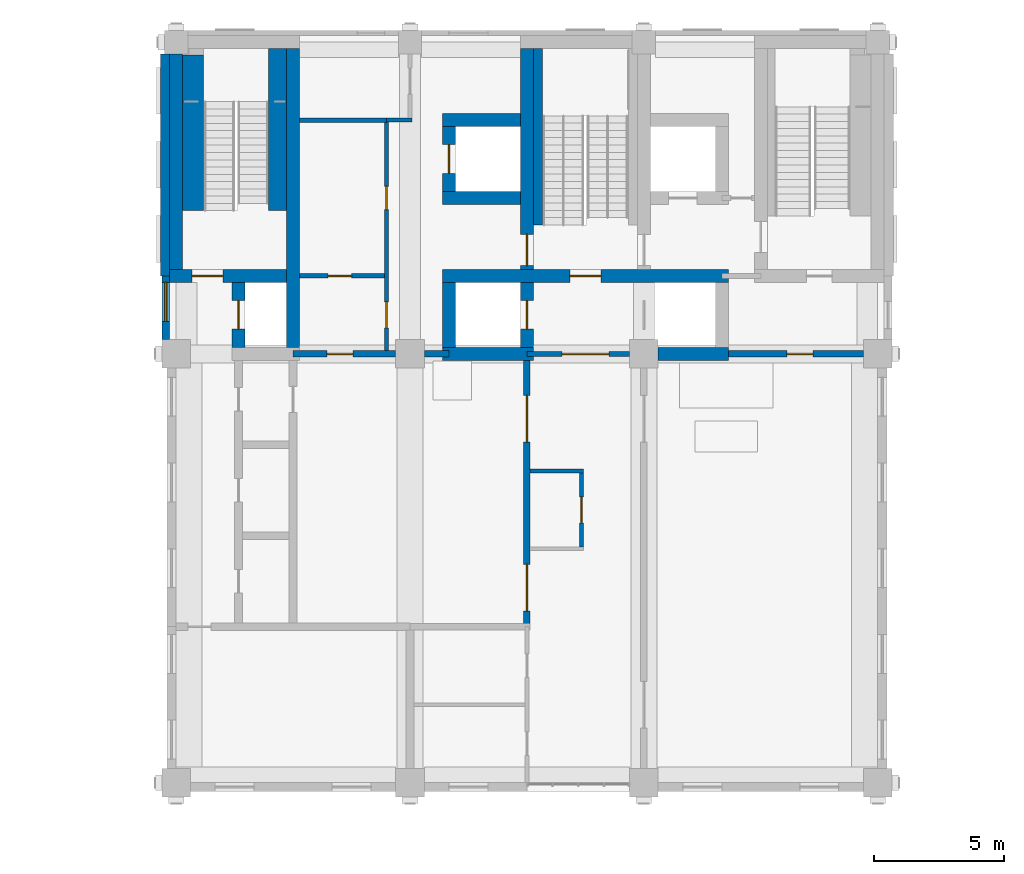
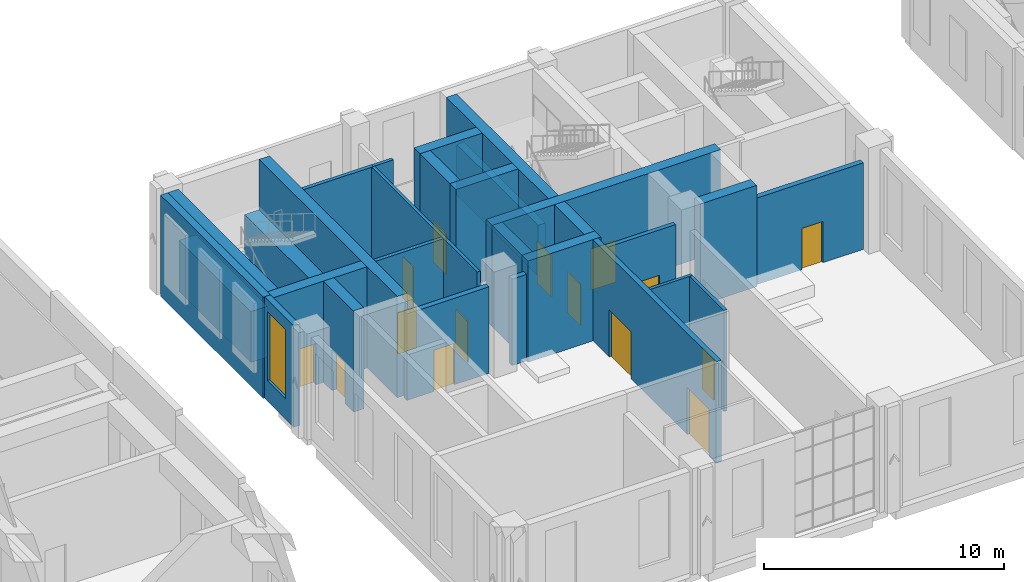
# One storey, part 22 of 37: 28 walls, 15 doors, 1 window, 16 openings.
"""IFC4 building model written with IfcOpenShell, lengths in metres."""

from ifc_helpers import new_model, si_unit, direction, frame, frame_2d, origin, place, context, subcontext, project, spatial, rectangle, extrude, material, layer, layer_set, type_object, element, fill, save


model = new_model("IFC4")

# Units and contexts
model_context = context("Model", 3, precision=1e-05, world=origin(), true_north=direction((0.0, 1.0)))
body_context = subcontext(model_context, "Body", "Model", "MODEL_VIEW")
ifc_project = project(units=[si_unit("LENGTHUNIT", "METRE"), si_unit("AREAUNIT", "SQUARE_METRE"), si_unit("VOLUMEUNIT", "CUBIC_METRE"), si_unit("PLANEANGLEUNIT", "RADIAN"), si_unit("MASSUNIT", "GRAM", prefix="KILO")], contexts=[model_context])

# Site, building, storey
site_placement = place(None, origin())
site = spatial("IfcSite", under=ifc_project, at=site_placement, CompositionType="ELEMENT")
building_placement = place(site_placement, origin())
building = spatial("IfcBuilding", under=site, at=building_placement, Name="Aurelan Courthouse", CompositionType="ELEMENT")
storey_placement = place(building_placement, frame((0.0, 0.0, 17.39990234375)))
storey = spatial("IfcBuildingStorey", under=building, at=storey_placement, Name="L03", CompositionType="ELEMENT", Elevation=17.39990234375)

# Wall, opening, door
ifc_material_1 = material(Name="Gypsum board on metal studs")
ifc_layer_1 = layer(ifc_material_1, 0.175048828125)
ifc_layer_set_1 = layer_set([ifc_layer_1], Name="Gypsum board on metal studs")
wall_type_1 = type_object("IfcWallType", Name="Chambers acoustic partition 175 NOT RATED", PredefinedType="PARTITIONING", material=ifc_layer_set_1)
wall_1_placement = place(storey_placement, frame((40.75, 57.0, 0.0), z_axis=(0.0, 0.0, 1.0), x_axis=(1.0, 0.0, 0.0)))
wall_1 = element("IfcWall", 1, at=wall_1_placement, inside=storey, type_object=wall_type_1, Name="Chambers acoustic partition L03-042", PredefinedType="PARTITIONING", context=body_context, shape_type="SweptSolid", body=[
    extrude(rectangle(XDim=3.27490234375, YDim=0.175048828125, at=frame_2d((1.637451171875, 0.0))), origin(), (0.0, 0.0, 1.0), 5.150146484375),
])
opening_1_placement = place(wall_1_placement, frame((2.0, 0.0, 0.0), z_axis=(0.0, 0.0, 1.0), x_axis=(-1.0, 0.0, 0.0)))
opening_1 = element("IfcOpeningElement", 2, at=opening_1_placement, cuts=wall_1, Name="Opening D-L03-027", PredefinedType="OPENING", context=body_context, shape_type="SweptSolid", body=[
    extrude(rectangle(XDim=0.89990234375, YDim=2.10009765625, at=frame_2d((0.449951171875, 1.050048828125))), frame((0.0, 0.097412109375, 0.0), z_axis=(0.0, -1.0, 0.0), x_axis=(1.0, 0.0, 0.0)), (0.0, 0.0, 1.0), 0.195068359375),
])
ifc_material_2 = material(Name="Timber", Category="wood")
door_type_1 = type_object("IfcDoorType", Name="Single door 900 x 2100 NOT RATED", OperationType="SINGLE_SWING_LEFT", PredefinedType="DOOR", material=ifc_material_2)
door_1_placement = place(opening_1_placement, origin())
door_1 = element("IfcDoor", 3, at=door_1_placement, inside=storey, type_object=door_type_1, Name="Single door D-L03-027", OperationType="SINGLE_SWING_LEFT", OverallHeight=2.10009765625, OverallWidth=0.89990234375, PredefinedType="DOOR", context=body_context, shape_type="SweptSolid", body=[
    extrude(rectangle(XDim=0.89990234375, YDim=2.10009765625, at=frame_2d((0.449951171875, 1.050048828125))), frame((0.0, 0.02490234375, 0.0), z_axis=(0.0, -1.0, 0.0), x_axis=(1.0, 0.0, 0.0)), (0.0, 0.0, 1.0), 0.050048828125),
])
fill(opening_1, door_1)

# Walls
wall_2_placement = place(storey_placement, frame((40.75, 63.0, 0.0), z_axis=(0.0, 0.0, 1.0), x_axis=(1.0, 0.0, 0.0)))
element("IfcWall", 4, at=wall_2_placement, inside=storey, type_object=wall_type_1, Name="Chambers acoustic partition L03-048", PredefinedType="PARTITIONING", context=body_context, shape_type="SweptSolid", body=[
    extrude(rectangle(XDim=3.35009765625, YDim=0.175048828125, at=frame_2d((1.675048828125, 0.0))), origin(), (0.0, 0.0, 1.0), 5.150146484375),
])
ifc_layer_2 = layer(ifc_material_1, 0.14990234375)
ifc_layer_set_2 = layer_set([ifc_layer_2], Name="Gypsum board on metal studs")
wall_type_2 = type_object("IfcWallType", Name="Corridor partition 150 EI 60", PredefinedType="PARTITIONING", material=ifc_layer_set_2)
wall_3_placement = place(storey_placement, frame((49.625, 49.5, 0.0), z_axis=(0.0, 0.0, 1.0), x_axis=(1.0, 0.0, 0.0)))
element("IfcWall", 5, at=wall_3_placement, inside=storey, type_object=wall_type_2, Name="Corridor partition L03-027", PredefinedType="PARTITIONING", context=body_context, shape_type="SweptSolid", body=[
    extrude(rectangle(XDim=2.050048828125, YDim=0.14990234375, at=frame_2d((1.02490234375, 0.0))), origin(), (0.0, 0.0, 1.0), 5.150146484375),
])
wall_4_placement = place(storey_placement, frame((44.10009765625, 63.0, 0.0), z_axis=(0.0, 0.0, 1.0), x_axis=(1.0, 0.0, 0.0)))
element("IfcWall", 6, at=wall_4_placement, inside=storey, type_object=wall_type_2, Name="Corridor partition L03-049", PredefinedType="PARTITIONING", context=body_context, shape_type="SweptSolid", body=[
    extrude(rectangle(XDim=0.974853515625, YDim=0.14990234375, at=frame_2d((0.4873046875, 0.0))), origin(), (0.0, 0.0, 1.0), 5.150146484375),
])

# Wall, openings, doors
wall_5_placement = place(storey_placement, frame((44.10009765625, 54.125, 0.0), z_axis=(0.0, 0.0, 1.0), x_axis=(0.0, 1.0, 0.0)))
wall_5 = element("IfcWall", 7, at=wall_5_placement, inside=storey, type_object=wall_type_2, Name="Corridor partition L03-067", PredefinedType="PARTITIONING", context=body_context, shape_type="SweptSolid", body=[
    extrude(rectangle(XDim=8.800048828125, YDim=0.14990234375, at=frame_2d((4.39990234375, 0.0))), origin(), (0.0, 0.0, 1.0), 5.150146484375),
])
opening_2_placement = place(wall_5_placement, frame((0.875, 0.0, 0.0)))
opening_2 = element("IfcOpeningElement", 8, at=opening_2_placement, cuts=wall_5, Name="Opening D-L03-025", PredefinedType="OPENING", context=body_context, shape_type="SweptSolid", body=[
    extrude(rectangle(XDim=1.0, YDim=2.10009765625, at=frame_2d((0.5, 1.050048828125))), frame((0.0, 0.0849609375, 0.0), z_axis=(0.0, -1.0, 0.0), x_axis=(1.0, 0.0, 0.0)), (0.0, 0.0, 1.0), 0.169921875),
])
opening_3_placement = place(wall_5_placement, frame((5.425048828125, 0.0, 0.0)))
opening_3 = element("IfcOpeningElement", 9, at=opening_3_placement, cuts=wall_5, Name="Opening D-L03-026", PredefinedType="OPENING", context=body_context, shape_type="SweptSolid", body=[
    extrude(rectangle(XDim=0.89990234375, YDim=2.10009765625, at=frame_2d((0.449951171875, 1.050048828125))), frame((0.0, 0.0849609375, 0.0), z_axis=(0.0, -1.0, 0.0), x_axis=(1.0, 0.0, 0.0)), (0.0, 0.0, 1.0), 0.169921875),
])
ifc_material_3 = material(Name="Steel", Category="steel")
door_type_2 = type_object("IfcDoorType", Name="Single door 1000 x 2100 FD60", OperationType="SINGLE_SWING_LEFT", PredefinedType="DOOR", material=ifc_material_3)
door_2_placement = place(opening_2_placement, origin())
door_2 = element("IfcDoor", 10, at=door_2_placement, inside=storey, type_object=door_type_2, Name="Single door D-L03-025", OperationType="SINGLE_SWING_RIGHT", OverallHeight=2.10009765625, OverallWidth=1.0, PredefinedType="DOOR", context=body_context, shape_type="SweptSolid", body=[
    extrude(rectangle(XDim=1.0, YDim=2.10009765625, at=frame_2d((0.5, 1.050048828125))), frame((0.0, 0.02490234375, 0.0), z_axis=(0.0, -1.0, 0.0), x_axis=(1.0, 0.0, 0.0)), (0.0, 0.0, 1.0), 0.050048828125),
])
fill(opening_2, door_2)
door_type_3 = type_object("IfcDoorType", Name="Single door 900 x 2100 FD60", OperationType="SINGLE_SWING_LEFT", PredefinedType="DOOR", material=ifc_material_3)
door_3_placement = place(opening_3_placement, origin())
door_3 = element("IfcDoor", 11, at=door_3_placement, inside=storey, type_object=door_type_3, Name="Single door D-L03-026", OperationType="SINGLE_SWING_LEFT", OverallHeight=2.10009765625, OverallWidth=0.89990234375, PredefinedType="DOOR", context=body_context, shape_type="SweptSolid", body=[
    extrude(rectangle(XDim=0.89990234375, YDim=2.10009765625, at=frame_2d((0.449951171875, 1.050048828125))), frame((0.0, 0.02490234375, 0.0), z_axis=(0.0, -1.0, 0.0), x_axis=(1.0, 0.0, 0.0)), (0.0, 0.0, 1.0), 0.050048828125),
])
fill(opening_3, door_3)

# Wall, opening, door
wall_6_placement = place(storey_placement, frame((51.60009765625, 46.574951171875, 0.0), z_axis=(0.0, 0.0, 1.0), x_axis=(0.0, 1.0, 0.0)))
wall_6 = element("IfcWall", 12, at=wall_6_placement, inside=storey, type_object=wall_type_2, Name="Corridor partition L03-072", PredefinedType="PARTITIONING", context=body_context, shape_type="SweptSolid", body=[
    extrude(rectangle(XDim=2.85009765625, YDim=0.14990234375, at=frame_2d((1.425048828125, 0.0))), origin(), (0.0, 0.0, 1.0), 5.150146484375),
])
opening_4_placement = place(wall_6_placement, frame((0.925048828125, 0.0, 0.0)))
opening_4 = element("IfcOpeningElement", 13, at=opening_4_placement, cuts=wall_6, Name="Opening D-L03-013", PredefinedType="OPENING", context=body_context, shape_type="SweptSolid", body=[
    extrude(rectangle(XDim=1.0, YDim=2.10009765625, at=frame_2d((0.5, 1.050048828125))), frame((0.0, 0.0849609375, 0.0), z_axis=(0.0, -1.0, 0.0), x_axis=(1.0, 0.0, 0.0)), (0.0, 0.0, 1.0), 0.169921875),
])
door_4_placement = place(opening_4_placement, origin())
door_4 = element("IfcDoor", 14, at=door_4_placement, inside=storey, type_object=door_type_2, Name="Single door D-L03-013", OperationType="SINGLE_SWING_RIGHT", OverallHeight=2.10009765625, OverallWidth=1.0, PredefinedType="DOOR", context=body_context, shape_type="SweptSolid", body=[
    extrude(rectangle(XDim=1.0, YDim=2.10009765625, at=frame_2d((0.5, 1.050048828125))), frame((0.0, 0.02490234375, 0.0), z_axis=(0.0, -1.0, 0.0), x_axis=(1.0, 0.0, 0.0)), (0.0, 0.0, 1.0), 0.050048828125),
])
fill(opening_4, door_4)

# Wall, opening, window
ifc_material_4 = material(Name="Limestone cladding", Category="masonry")
ifc_layer_3 = layer(ifc_material_4, 0.0849609375, Name="Facing")
ifc_material_5 = material(Name="Ventilated cavity")
ifc_layer_4 = layer(ifc_material_5, 0.02490234375, ventilated=True, Name="Ventilated cavity")
ifc_material_6 = material(Name="Mineral wool insulation")
ifc_layer_5 = layer(ifc_material_6, 0.044921875, Name="Insulation")
ifc_material_7 = material(Name="Concrete C30", Category="concrete")
ifc_layer_6 = layer(ifc_material_7, 0.14501953125, Name="Structure")
ifc_layer_set_3 = layer_set([ifc_layer_3, ifc_layer_4, ifc_layer_5, ifc_layer_6], Name="Concrete C30")
wall_type_3 = type_object("IfcWallType", Name="Courtroom Block stone-faced wall 300", PredefinedType="SOLIDWALL", material=ifc_layer_set_3)
wall_7_placement = place(storey_placement, frame((35.60009765625, 54.550048828125, 0.0), z_axis=(0.0, 0.0, 1.0), x_axis=(0.0, 1.0, 0.0)))
wall_7 = element("IfcWall", 15, at=wall_7_placement, inside=storey, type_object=wall_type_3, Name="Facade wall FW-V2-L03-012", PredefinedType="SOLIDWALL", context=body_context, shape_type="SweptSolid", body=[
    extrude(rectangle(XDim=2.449951171875, YDim=0.300048828125, at=frame_2d((1.22509765625, 0.0))), origin(), (0.0, 0.0, 1.0), 5.150146484375),
])
opening_5_placement = place(wall_7_placement, frame((0.699951171875, 0.0, 1.050048828125)))
opening_5 = element("IfcOpeningElement", 16, at=opening_5_placement, cuts=wall_7, Name="Opening WN-V2-L03-019", PredefinedType="OPENING", context=body_context, shape_type="SweptSolid", body=[
    extrude(rectangle(XDim=1.5, YDim=3.5, at=frame_2d((0.75, 1.75))), frame((0.0, 0.159912109375, 0.0), z_axis=(0.0, -1.0, 0.0), x_axis=(1.0, 0.0, 0.0)), (0.0, 0.0, 1.0), 0.320068359375),
])
ifc_material_8 = material(Name="Bronze-finished aluminium and glass", Category="aluminium")
window_type = type_object("IfcWindowType", Name="Courtroom Block glazed slot 1500 x 3500, sill 1050", PartitioningType="SINGLE_PANEL", PredefinedType="WINDOW", material=ifc_material_8)
window_placement = place(opening_5_placement, origin())
window = element("IfcWindow", 17, at=window_placement, inside=storey, type_object=window_type, Name="Glazed slot WN-V2-L03-019", OverallHeight=3.5, OverallWidth=1.5, PartitioningType="SINGLE_PANEL", PredefinedType="WINDOW", context=body_context, shape_type="SweptSolid", body=[
    extrude(rectangle(XDim=1.5, YDim=3.5, at=frame_2d((0.75, 1.75))), frame((0.0, 0.030029296875, 0.0), z_axis=(0.0, -1.0, 0.0), x_axis=(1.0, 0.0, 0.0)), (0.0, 0.0, 1.0), 0.06005859375),
])
fill(opening_5, window)

# Wall
ifc_layer_7 = layer(ifc_material_4, 0.10009765625, Name="Facing")
ifc_layer_8 = layer(ifc_material_5, 0.02490234375, ventilated=True, Name="Ventilated cavity")
ifc_layer_9 = layer(ifc_material_6, 0.050048828125, Name="Insulation")
ifc_layer_10 = layer(ifc_material_7, 0.175048828125, Name="Structure")
ifc_layer_set_4 = layer_set([ifc_layer_7, ifc_layer_8, ifc_layer_9, ifc_layer_10], Name="Concrete C30")
wall_type_4 = type_object("IfcWallType", Name="Courtroom Block stone-faced wall 350", PredefinedType="SOLIDWALL", material=ifc_layer_set_4)
wall_8_placement = place(storey_placement, frame((35.574951171875, 57.0, 0.0), z_axis=(0.0, 0.0, 1.0), x_axis=(0.0, 1.0, 0.0)))
element("IfcWall", 18, at=wall_8_placement, inside=storey, type_object=wall_type_4, Name="Facade wall FW-V2-L03-013", PredefinedType="SOLIDWALL", context=body_context, shape_type="SweptSolid", body=[
    extrude(rectangle(XDim=8.550048828125, YDim=0.35009765625, at=frame_2d((4.27490234375, 0.0))), origin(), (0.0, 0.0, 1.0), 5.150146484375),
])

# Wall, opening, door
ifc_material_9 = material(Name="Masonry block", Category="masonry")
ifc_layer_11 = layer(ifc_material_9, 0.25)
ifc_layer_set_5 = layer_set([ifc_layer_11], Name="Masonry block")
wall_type_5 = type_object("IfcWallType", Name="Courtroom wall 250 EI 60", PredefinedType="PARTITIONING", material=ifc_layer_set_5)
wall_9_placement = place(storey_placement, frame((40.5, 54.0, 0.0), z_axis=(0.0, 0.0, 1.0), x_axis=(1.0, 0.0, 0.0)))
wall_9 = element("IfcWall", 19, at=wall_9_placement, inside=storey, type_object=wall_type_5, Name="Courtroom wall L03-031", PredefinedType="PARTITIONING", context=body_context, shape_type="SweptSolid", body=[
    extrude(rectangle(XDim=3.949951171875, YDim=0.25, at=frame_2d((1.97509765625, 0.0))), origin(), (0.0, 0.0, 1.0), 4.400146484375),
])
opening_6_placement = place(wall_9_placement, frame((2.300048828125, 0.0, 0.0), z_axis=(0.0, 0.0, 1.0), x_axis=(-1.0, 0.0, 0.0)))
opening_6 = element("IfcOpeningElement", 20, at=opening_6_placement, cuts=wall_9, Name="Opening D-L03-029", PredefinedType="OPENING", context=body_context, shape_type="SweptSolid", body=[
    extrude(rectangle(XDim=1.0, YDim=2.10009765625, at=frame_2d((0.5, 1.050048828125))), frame((0.0, 0.135009765625, 0.0), z_axis=(0.0, -1.0, 0.0), x_axis=(1.0, 0.0, 0.0)), (0.0, 0.0, 1.0), 0.27001953125),
])
door_type_4 = type_object("IfcDoorType", Name="Single door 1000 x 2100 FD30", OperationType="SINGLE_SWING_LEFT", PredefinedType="DOOR", material=ifc_material_3)
door_5_placement = place(opening_6_placement, origin())
door_5 = element("IfcDoor", 21, at=door_5_placement, inside=storey, type_object=door_type_4, Name="Single door D-L03-029", OperationType="SINGLE_SWING_RIGHT", OverallHeight=2.10009765625, OverallWidth=1.0, PredefinedType="DOOR", context=body_context, shape_type="SweptSolid", body=[
    extrude(rectangle(XDim=1.0, YDim=2.10009765625, at=frame_2d((0.5, 1.050048828125))), frame((0.0, 0.02490234375, 0.0), z_axis=(0.0, -1.0, 0.0), x_axis=(1.0, 0.0, 0.0)), (0.0, 0.0, 1.0), 0.050048828125),
])
fill(opening_6, door_5)

# Wall
wall_10_placement = place(storey_placement, frame((45.550048828125, 54.0, 0.0), z_axis=(0.0, 0.0, 1.0), x_axis=(1.0, 0.0, 0.0)))
element("IfcWall", 22, at=wall_10_placement, inside=storey, type_object=wall_type_5, Name="Courtroom wall L03-032", PredefinedType="PARTITIONING", context=body_context, shape_type="SweptSolid", body=[
    extrude(rectangle(XDim=0.949951171875, YDim=0.25, at=frame_2d((0.47509765625, 0.0))), origin(), (0.0, 0.0, 1.0), 4.400146484375),
])

# Wall, opening, door
wall_11_placement = place(storey_placement, frame((57.0, 54.0, 0.0), z_axis=(0.0, 0.0, 1.0), x_axis=(1.0, 0.0, 0.0)))
wall_11 = element("IfcWall", 23, at=wall_11_placement, inside=storey, type_object=wall_type_5, Name="Courtroom wall L03-034", PredefinedType="PARTITIONING", context=body_context, shape_type="SweptSolid", body=[
    extrude(rectangle(XDim=5.449951171875, YDim=0.25, at=frame_2d((2.72509765625, 0.0))), origin(), (0.0, 0.0, 1.0), 4.400146484375),
])
opening_7_placement = place(wall_11_placement, frame((2.5, 0.0, 0.0)))
opening_7 = element("IfcOpeningElement", 24, at=opening_7_placement, cuts=wall_11, Name="Opening D-L03-031", PredefinedType="OPENING", context=body_context, shape_type="SweptSolid", body=[
    extrude(rectangle(XDim=1.0, YDim=2.10009765625, at=frame_2d((0.5, 1.050048828125))), frame((0.0, 0.135009765625, 0.0), z_axis=(0.0, -1.0, 0.0), x_axis=(1.0, 0.0, 0.0)), (0.0, 0.0, 1.0), 0.27001953125),
])
door_6_placement = place(opening_7_placement, origin())
door_6 = element("IfcDoor", 25, at=door_6_placement, inside=storey, type_object=door_type_4, Name="Single door D-L03-031", OperationType="SINGLE_SWING_LEFT", OverallHeight=2.10009765625, OverallWidth=1.0, PredefinedType="DOOR", context=body_context, shape_type="SweptSolid", body=[
    extrude(rectangle(XDim=1.0, YDim=2.10009765625, at=frame_2d((0.5, 1.050048828125))), frame((0.0, 0.02490234375, 0.0), z_axis=(0.0, -1.0, 0.0), x_axis=(1.0, 0.0, 0.0)), (0.0, 0.0, 1.0), 0.050048828125),
])
fill(opening_7, door_6)

# Wall, openings, doors
wall_12_placement = place(storey_placement, frame((49.5, 43.5, 0.0), z_axis=(0.0, 0.0, 1.0), x_axis=(0.0, 1.0, 0.0)))
wall_12 = element("IfcWall", 26, at=wall_12_placement, inside=storey, type_object=wall_type_5, Name="Courtroom wall L03-071", PredefinedType="PARTITIONING", context=body_context, shape_type="SweptSolid", body=[
    extrude(rectangle(XDim=10.5, YDim=0.25, at=frame_2d((5.25, 0.0))), origin(), (0.0, 0.0, 1.0), 5.150146484375),
])
opening_8_placement = place(wall_12_placement, frame((0.60009765625, 0.0, 0.0)))
opening_8 = element("IfcOpeningElement", 27, at=opening_8_placement, cuts=wall_12, Name="Opening D-L03-014", PredefinedType="OPENING", context=body_context, shape_type="SweptSolid", body=[
    extrude(rectangle(XDim=1.800048828125, YDim=2.39990234375, at=frame_2d((0.89990234375, 1.199951171875))), frame((0.0, 0.135009765625, 0.0), z_axis=(0.0, -1.0, 0.0), x_axis=(1.0, 0.0, 0.0)), (0.0, 0.0, 1.0), 0.27001953125),
])
opening_9_placement = place(wall_12_placement, frame((7.10009765625, 0.0, 0.0)))
opening_9 = element("IfcOpeningElement", 28, at=opening_9_placement, cuts=wall_12, Name="Opening D-L03-015", PredefinedType="OPENING", context=body_context, shape_type="SweptSolid", body=[
    extrude(rectangle(XDim=1.800048828125, YDim=2.39990234375, at=frame_2d((0.89990234375, 1.199951171875))), frame((0.0, 0.135009765625, 0.0), z_axis=(0.0, -1.0, 0.0), x_axis=(1.0, 0.0, 0.0)), (0.0, 0.0, 1.0), 0.27001953125),
])
door_type_5 = type_object("IfcDoorType", Name="Double door 1800 x 2400 FD30", OperationType="DOUBLE_DOOR_SINGLE_SWING", PredefinedType="DOOR", material=ifc_material_3)
door_7_placement = place(opening_8_placement, origin())
door_7 = element("IfcDoor", 29, at=door_7_placement, inside=storey, type_object=door_type_5, Name="Double door D-L03-014", OperationType="DOUBLE_DOOR_SINGLE_SWING", OverallHeight=2.39990234375, OverallWidth=1.800048828125, PredefinedType="DOOR", context=body_context, shape_type="SweptSolid", body=[
    extrude(rectangle(XDim=1.800048828125, YDim=2.39990234375, at=frame_2d((0.89990234375, 1.199951171875))), frame((0.0, 0.02490234375, 0.0), z_axis=(0.0, -1.0, 0.0), x_axis=(1.0, 0.0, 0.0)), (0.0, 0.0, 1.0), 0.050048828125),
])
fill(opening_8, door_7)
door_8_placement = place(opening_9_placement, origin())
door_8 = element("IfcDoor", 30, at=door_8_placement, inside=storey, type_object=door_type_5, Name="Double door D-L03-015", OperationType="DOUBLE_DOOR_SINGLE_SWING", OverallHeight=2.39990234375, OverallWidth=1.800048828125, PredefinedType="DOOR", context=body_context, shape_type="SweptSolid", body=[
    extrude(rectangle(XDim=1.800048828125, YDim=2.39990234375, at=frame_2d((0.89990234375, 1.199951171875))), frame((0.0, 0.02490234375, 0.0), z_axis=(0.0, -1.0, 0.0), x_axis=(1.0, 0.0, 0.0)), (0.0, 0.0, 1.0), 0.050048828125),
])
fill(opening_9, door_8)

# Wall, opening, door
ifc_layer_12 = layer(ifc_material_9, 0.199951171875)
ifc_layer_set_6 = layer_set([ifc_layer_12], Name="Masonry block")
wall_type_6 = type_object("IfcWallType", Name="Lift lobby wall 200 EI 60", PredefinedType="PARTITIONING", material=ifc_layer_set_6)
wall_13_placement = place(storey_placement, frame((49.5, 54.0, 0.0), z_axis=(0.0, 0.0, 1.0), x_axis=(1.0, 0.0, 0.0)))
wall_13 = element("IfcWall", 31, at=wall_13_placement, inside=storey, type_object=wall_type_6, Name="Lift lobby wall L03-033", PredefinedType="PARTITIONING", context=body_context, shape_type="SweptSolid", body=[
    extrude(rectangle(XDim=3.949951171875, YDim=0.199951171875, at=frame_2d((1.97509765625, 0.0))), origin(), (0.0, 0.0, 1.0), 4.400146484375),
])
opening_10_placement = place(wall_13_placement, frame((1.35009765625, 0.0, 0.0)))
opening_10 = element("IfcOpeningElement", 32, at=opening_10_placement, cuts=wall_13, Name="Opening D-L03-012", PredefinedType="OPENING", context=body_context, shape_type="SweptSolid", body=[
    extrude(rectangle(XDim=1.800048828125, YDim=2.10009765625, at=frame_2d((0.89990234375, 1.050048828125))), frame((0.0, 0.10986328125, 0.0), z_axis=(0.0, -1.0, 0.0), x_axis=(1.0, 0.0, 0.0)), (0.0, 0.0, 1.0), 0.219970703125),
])
door_type_6 = type_object("IfcDoorType", Name="Double door 1800 x 2100 FD60", OperationType="DOUBLE_DOOR_SINGLE_SWING", PredefinedType="DOOR", material=ifc_material_3)
door_9_placement = place(opening_10_placement, origin())
door_9 = element("IfcDoor", 33, at=door_9_placement, inside=storey, type_object=door_type_6, Name="Double door D-L03-012", OperationType="DOUBLE_DOOR_SINGLE_SWING", OverallHeight=2.10009765625, OverallWidth=1.800048828125, PredefinedType="DOOR", context=body_context, shape_type="SweptSolid", body=[
    extrude(rectangle(XDim=1.800048828125, YDim=2.10009765625, at=frame_2d((0.89990234375, 1.050048828125))), frame((0.0, 0.02490234375, 0.0), z_axis=(0.0, -1.0, 0.0), x_axis=(1.0, 0.0, 0.0)), (0.0, 0.0, 1.0), 0.050048828125),
])
fill(opening_10, door_9)

# Walls
ifc_material_10 = material(Name="Concrete C50", Category="concrete")
ifc_layer_13 = layer(ifc_material_10, 0.5)
ifc_layer_set_7 = layer_set([ifc_layer_13], Name="Concrete C50")
wall_type_7 = type_object("IfcWallType", Name="RC shear wall 500", PredefinedType="SHEAR", material=ifc_layer_set_7)
wall_14_placement = place(storey_placement, frame((46.25, 54.0, 0.0), z_axis=(0.0, 0.0, 1.0), x_axis=(1.0, 0.0, 0.0)))
element("IfcWall", 34, at=wall_14_placement, inside=storey, type_object=wall_type_7, Name="Core wall SW-L03-017", PredefinedType="SHEAR", context=body_context, shape_type="SweptSolid", body=[
    extrude(rectangle(XDim=3.5, YDim=0.5, at=frame_2d((1.75, 0.0))), origin(), (0.0, 0.0, 1.0), 5.150146484375),
])
wall_15_placement = place(storey_placement, frame((54.550048828125, 54.0, 0.0), z_axis=(0.0, 0.0, 1.0), x_axis=(1.0, 0.0, 0.0)))
element("IfcWall", 35, at=wall_15_placement, inside=storey, type_object=wall_type_7, Name="Core wall SW-L03-018", PredefinedType="SHEAR", context=body_context, shape_type="SweptSolid", body=[
    extrude(rectangle(XDim=2.699951171875, YDim=0.5, at=frame_2d((1.35009765625, 0.0))), origin(), (0.0, 0.0, 1.0), 5.150146484375),
])

# Wall, opening, door
wall_16_placement = place(storey_placement, frame((38.39990234375, 54.25, 0.0), z_axis=(0.0, 0.0, 1.0), x_axis=(0.0, 1.0, 0.0)))
wall_16 = element("IfcWall", 36, at=wall_16_placement, inside=storey, type_object=wall_type_7, Name="Core wall SW-L03-019", PredefinedType="SHEAR", context=body_context, shape_type="SweptSolid", body=[
    extrude(rectangle(XDim=2.5, YDim=0.5, at=frame_2d((1.25, 0.0))), origin(), (0.0, 0.0, 1.0), 5.150146484375),
])
opening_11_placement = place(wall_16_placement, frame((0.699951171875, 0.0, 0.0)))
opening_11 = element("IfcOpeningElement", 37, at=opening_11_placement, cuts=wall_16, Name="Opening LD-V2-C1-L03", PredefinedType="OPENING", context=body_context, shape_type="SweptSolid", body=[
    extrude(rectangle(XDim=1.10009765625, YDim=2.10009765625, at=frame_2d((0.550048828125, 1.050048828125))), frame((0.0, 0.260009765625, 0.0), z_axis=(0.0, -1.0, 0.0), x_axis=(1.0, 0.0, 0.0)), (0.0, 0.0, 1.0), 0.52001953125),
])
door_type_7 = type_object("IfcDoorType", Name="Lift landing door 1100 x 2100 FD90", OperationType="SLIDING_TO_LEFT", PredefinedType="DOOR", material=ifc_material_3)
door_10_placement = place(opening_11_placement, origin())
door_10 = element("IfcDoor", 38, at=door_10_placement, inside=storey, type_object=door_type_7, Name="Lift landing door LD-V2-C1-L03", OperationType="SLIDING_TO_LEFT", OverallHeight=2.10009765625, OverallWidth=1.10009765625, PredefinedType="DOOR", context=body_context, shape_type="SweptSolid", body=[
    extrude(rectangle(XDim=1.10009765625, YDim=2.10009765625, at=frame_2d((0.550048828125, 1.050048828125))), frame((0.0, 0.02490234375, 0.0), z_axis=(0.0, -1.0, 0.0), x_axis=(1.0, 0.0, 0.0)), (0.0, 0.0, 1.0), 0.050048828125),
])
fill(opening_11, door_10)

# Walls
wall_17_placement = place(storey_placement, frame((40.5, 54.25, 0.0), z_axis=(0.0, 0.0, 1.0), x_axis=(0.0, 1.0, 0.0)))
element("IfcWall", 39, at=wall_17_placement, inside=storey, type_object=wall_type_7, Name="Core wall SW-L03-020", PredefinedType="SHEAR", context=body_context, shape_type="SweptSolid", body=[
    extrude(rectangle(XDim=11.5, YDim=0.5, at=frame_2d((5.75, 0.0))), origin(), (0.0, 0.0, 1.0), 5.150146484375),
])
wall_18_placement = place(storey_placement, frame((46.5, 54.25, 0.0), z_axis=(0.0, 0.0, 1.0), x_axis=(0.0, 1.0, 0.0)))
element("IfcWall", 40, at=wall_18_placement, inside=storey, type_object=wall_type_7, Name="Core wall SW-L03-021", PredefinedType="SHEAR", context=body_context, shape_type="SweptSolid", body=[
    extrude(rectangle(XDim=2.5, YDim=0.5, at=frame_2d((1.25, 0.0))), origin(), (0.0, 0.0, 1.0), 5.150146484375),
])

# Wall, openings, doors
wall_19_placement = place(storey_placement, frame((49.5, 54.25, 0.0), z_axis=(0.0, 0.0, 1.0), x_axis=(0.0, 1.0, 0.0)))
wall_19 = element("IfcWall", 41, at=wall_19_placement, inside=storey, type_object=wall_type_7, Name="Core wall SW-L03-022", PredefinedType="SHEAR", context=body_context, shape_type="SweptSolid", body=[
    extrude(rectangle(XDim=11.5, YDim=0.5, at=frame_2d((5.75, 0.0))), origin(), (0.0, 0.0, 1.0), 5.150146484375),
])
opening_12_placement = place(wall_19_placement, frame((0.699951171875, 0.0, 0.0)))
opening_12 = element("IfcOpeningElement", 42, at=opening_12_placement, cuts=wall_19, Name="Opening LD-V2-P1-L03", PredefinedType="OPENING", context=body_context, shape_type="SweptSolid", body=[
    extrude(rectangle(XDim=1.10009765625, YDim=2.10009765625, at=frame_2d((0.550048828125, 1.050048828125))), frame((0.0, 0.260009765625, 0.0), z_axis=(0.0, -1.0, 0.0), x_axis=(1.0, 0.0, 0.0)), (0.0, 0.0, 1.0), 0.52001953125),
])
opening_13_placement = place(wall_19_placement, frame((4.349853515625, 0.0, 0.0), z_axis=(0.0, 0.0, 1.0), x_axis=(-1.0, 0.0, 0.0)))
opening_13 = element("IfcOpeningElement", 43, at=opening_13_placement, cuts=wall_19, Name="Opening D-L03-011", PredefinedType="OPENING", context=body_context, shape_type="SweptSolid", body=[
    extrude(rectangle(XDim=1.199951171875, YDim=2.10009765625, at=frame_2d((0.60009765625, 1.050048828125))), frame((0.0, 0.260009765625, 0.0), z_axis=(0.0, -1.0, 0.0), x_axis=(1.0, 0.0, 0.0)), (0.0, 0.0, 1.0), 0.52001953125),
])
door_11_placement = place(opening_12_placement, origin())
door_11 = element("IfcDoor", 44, at=door_11_placement, inside=storey, type_object=door_type_7, Name="Lift landing door LD-V2-P1-L03", OperationType="SLIDING_TO_LEFT", OverallHeight=2.10009765625, OverallWidth=1.10009765625, PredefinedType="DOOR", context=body_context, shape_type="SweptSolid", body=[
    extrude(rectangle(XDim=1.10009765625, YDim=2.10009765625, at=frame_2d((0.550048828125, 1.050048828125))), frame((0.0, 0.02490234375, 0.0), z_axis=(0.0, -1.0, 0.0), x_axis=(1.0, 0.0, 0.0)), (0.0, 0.0, 1.0), 0.050048828125),
])
fill(opening_12, door_11)
door_type_8 = type_object("IfcDoorType", Name="Single door 1200 x 2100 FD90", OperationType="SINGLE_SWING_LEFT", PredefinedType="DOOR", material=ifc_material_3)
door_12_placement = place(opening_13_placement, origin())
door_12 = element("IfcDoor", 45, at=door_12_placement, inside=storey, type_object=door_type_8, Name="Single door D-L03-011", OperationType="SINGLE_SWING_RIGHT", OverallHeight=2.10009765625, OverallWidth=1.199951171875, PredefinedType="DOOR", context=body_context, shape_type="SweptSolid", body=[
    extrude(rectangle(XDim=1.199951171875, YDim=2.10009765625, at=frame_2d((0.60009765625, 1.050048828125))), frame((0.0, 0.02490234375, 0.0), z_axis=(0.0, -1.0, 0.0), x_axis=(1.0, 0.0, 0.0)), (0.0, 0.0, 1.0), 0.050048828125),
])
fill(opening_13, door_12)

# Wall, opening, door
wall_20_placement = place(storey_placement, frame((35.75, 57.0, 0.0), z_axis=(0.0, 0.0, 1.0), x_axis=(1.0, 0.0, 0.0)))
wall_20 = element("IfcWall", 46, at=wall_20_placement, inside=storey, type_object=wall_type_7, Name="Core wall SW-L03-027", PredefinedType="SHEAR", context=body_context, shape_type="SweptSolid", body=[
    extrude(rectangle(XDim=4.5, YDim=0.5, at=frame_2d((2.25, 0.0))), origin(), (0.0, 0.0, 1.0), 5.150146484375),
])
opening_14_placement = place(wall_20_placement, frame((0.85009765625, 0.0, 0.0)))
opening_14 = element("IfcOpeningElement", 47, at=opening_14_placement, cuts=wall_20, Name="Opening D-L03-002", PredefinedType="OPENING", context=body_context, shape_type="SweptSolid", body=[
    extrude(rectangle(XDim=1.199951171875, YDim=2.10009765625, at=frame_2d((0.60009765625, 1.050048828125))), frame((0.0, 0.260009765625, 0.0), z_axis=(0.0, -1.0, 0.0), x_axis=(1.0, 0.0, 0.0)), (0.0, 0.0, 1.0), 0.52001953125),
])
door_13_placement = place(opening_14_placement, origin())
door_13 = element("IfcDoor", 48, at=door_13_placement, inside=storey, type_object=door_type_8, Name="Single door D-L03-002", OperationType="SINGLE_SWING_LEFT", OverallHeight=2.10009765625, OverallWidth=1.199951171875, PredefinedType="DOOR", context=body_context, shape_type="SweptSolid", body=[
    extrude(rectangle(XDim=1.199951171875, YDim=2.10009765625, at=frame_2d((0.60009765625, 1.050048828125))), frame((0.0, 0.02490234375, 0.0), z_axis=(0.0, -1.0, 0.0), x_axis=(1.0, 0.0, 0.0)), (0.0, 0.0, 1.0), 0.050048828125),
])
fill(opening_14, door_13)

wall_21_placement = place(storey_placement, frame((46.25, 57.0, 0.0), z_axis=(0.0, 0.0, 1.0), x_axis=(1.0, 0.0, 0.0)))
wall_21 = element("IfcWall", 49, at=wall_21_placement, inside=storey, type_object=wall_type_7, Name="Core wall SW-L03-028", PredefinedType="SHEAR", context=body_context, shape_type="SweptSolid", body=[
    extrude(rectangle(XDim=11.0, YDim=0.5, at=frame_2d((5.5, 0.0))), origin(), (0.0, 0.0, 1.0), 5.150146484375),
])
opening_15_placement = place(wall_21_placement, frame((4.89990234375, 0.0, 0.0)))
opening_15 = element("IfcOpeningElement", 50, at=opening_15_placement, cuts=wall_21, Name="Opening D-L03-005", PredefinedType="OPENING", context=body_context, shape_type="SweptSolid", body=[
    extrude(rectangle(XDim=1.199951171875, YDim=2.10009765625, at=frame_2d((0.60009765625, 1.050048828125))), frame((0.0, 0.260009765625, 0.0), z_axis=(0.0, -1.0, 0.0), x_axis=(1.0, 0.0, 0.0)), (0.0, 0.0, 1.0), 0.52001953125),
])
door_14_placement = place(opening_15_placement, origin())
door_14 = element("IfcDoor", 51, at=door_14_placement, inside=storey, type_object=door_type_8, Name="Single door D-L03-005", OperationType="SINGLE_SWING_RIGHT", OverallHeight=2.10009765625, OverallWidth=1.199951171875, PredefinedType="DOOR", context=body_context, shape_type="SweptSolid", body=[
    extrude(rectangle(XDim=1.199951171875, YDim=2.10009765625, at=frame_2d((0.60009765625, 1.050048828125))), frame((0.0, 0.02490234375, 0.0), z_axis=(0.0, -1.0, 0.0), x_axis=(1.0, 0.0, 0.0)), (0.0, 0.0, 1.0), 0.050048828125),
])
fill(opening_15, door_14)

# Walls
wall_22_placement = place(storey_placement, frame((36.0, 57.25, 0.0), z_axis=(0.0, 0.0, 1.0), x_axis=(0.0, 1.0, 0.0)))
element("IfcWall", 52, at=wall_22_placement, inside=storey, type_object=wall_type_7, Name="Core wall SW-L03-038", PredefinedType="SHEAR", context=body_context, shape_type="SweptSolid", body=[
    extrude(rectangle(XDim=8.300048828125, YDim=0.5, at=frame_2d((4.14990234375, 0.0))), origin(), (0.0, 0.0, 1.0), 5.150146484375),
])
wall_23_placement = place(storey_placement, frame((46.25, 60.0, 0.0), z_axis=(0.0, 0.0, 1.0), x_axis=(1.0, 0.0, 0.0)))
element("IfcWall", 53, at=wall_23_placement, inside=storey, type_object=wall_type_7, Name="Core wall SW-L03-047", PredefinedType="SHEAR", context=body_context, shape_type="SweptSolid", body=[
    extrude(rectangle(XDim=3.0, YDim=0.5, at=frame_2d((1.5, 0.0))), origin(), (0.0, 0.0, 1.0), 5.150146484375),
])

# Wall, opening, door
wall_24_placement = place(storey_placement, frame((46.5, 60.25, 0.0), z_axis=(0.0, 0.0, 1.0), x_axis=(0.0, 1.0, 0.0)))
wall_24 = element("IfcWall", 54, at=wall_24_placement, inside=storey, type_object=wall_type_7, Name="Core wall SW-L03-052", PredefinedType="SHEAR", context=body_context, shape_type="SweptSolid", body=[
    extrude(rectangle(XDim=2.5, YDim=0.5, at=frame_2d((1.25, 0.0))), origin(), (0.0, 0.0, 1.0), 5.150146484375),
])
opening_16_placement = place(wall_24_placement, frame((0.699951171875, 0.0, 0.0)))
opening_16 = element("IfcOpeningElement", 55, at=opening_16_placement, cuts=wall_24, Name="Opening LD-V2-J1-L03", PredefinedType="OPENING", context=body_context, shape_type="SweptSolid", body=[
    extrude(rectangle(XDim=1.10009765625, YDim=2.10009765625, at=frame_2d((0.550048828125, 1.050048828125))), frame((0.0, 0.260009765625, 0.0), z_axis=(0.0, -1.0, 0.0), x_axis=(1.0, 0.0, 0.0)), (0.0, 0.0, 1.0), 0.52001953125),
])
door_15_placement = place(opening_16_placement, origin())
door_15 = element("IfcDoor", 56, at=door_15_placement, inside=storey, type_object=door_type_7, Name="Lift landing door LD-V2-J1-L03", OperationType="SLIDING_TO_LEFT", OverallHeight=2.10009765625, OverallWidth=1.10009765625, PredefinedType="DOOR", context=body_context, shape_type="SweptSolid", body=[
    extrude(rectangle(XDim=1.10009765625, YDim=2.10009765625, at=frame_2d((0.550048828125, 1.050048828125))), frame((0.0, 0.02490234375, 0.0), z_axis=(0.0, -1.0, 0.0), x_axis=(1.0, 0.0, 0.0)), (0.0, 0.0, 1.0), 0.050048828125),
])
fill(opening_16, door_15)

# Walls
wall_25_placement = place(storey_placement, frame((46.25, 63.0, 0.0), z_axis=(0.0, 0.0, 1.0), x_axis=(1.0, 0.0, 0.0)))
element("IfcWall", 57, at=wall_25_placement, inside=storey, type_object=wall_type_7, Name="Core wall SW-L03-057", PredefinedType="SHEAR", context=body_context, shape_type="SweptSolid", body=[
    extrude(rectangle(XDim=3.0, YDim=0.5, at=frame_2d((1.5, 0.0))), origin(), (0.0, 0.0, 1.0), 5.150146484375),
])
ifc_layer_14 = layer(ifc_material_7, 0.35009765625)
ifc_layer_set_8 = layer_set([ifc_layer_14], Name="Concrete C30")
wall_type_8 = type_object("IfcWallType", Name="Stair well wall 350 EI 120 load-bearing", PredefinedType="SHEAR", material=ifc_layer_set_8)
wall_26_placement = place(storey_placement, frame((49.925048828125, 58.9599609375, 0.0), z_axis=(0.0, 0.0, 1.0), x_axis=(0.0, 1.0, 0.0)))
element("IfcWall", 58, at=wall_26_placement, inside=storey, type_object=wall_type_8, Name="Stair well wall ST-2A-L03 A", PredefinedType="SHEAR", context=body_context, shape_type="SweptSolid", body=[
    extrude(rectangle(XDim=6.7900390625, YDim=0.35009765625, at=frame_2d((3.39501953125, 0.0))), origin(), (0.0, 0.0, 1.0), 2.587158203125),
])
ifc_layer_15 = layer(ifc_material_7, 0.68994140625)
ifc_layer_set_9 = layer_set([ifc_layer_15], Name="Concrete C30")
wall_type_9 = type_object("IfcWallType", Name="Stair well wall 690 EI 120 load-bearing", PredefinedType="SHEAR", material=ifc_layer_set_9)
wall_27_placement = place(storey_placement, frame((39.905029296875, 59.510009765625, 0.0), z_axis=(0.0, 0.0, 1.0), x_axis=(0.0, 1.0, 0.0)))
element("IfcWall", 59, at=wall_27_placement, inside=storey, type_object=wall_type_9, Name="Stair well wall CS-2-L03 B", PredefinedType="SHEAR", context=body_context, shape_type="SweptSolid", body=[
    extrude(rectangle(XDim=6.239990234375, YDim=0.68994140625, at=frame_2d((3.1201171875, 0.0))), origin(), (0.0, 0.0, 1.0), 2.587158203125),
])
ifc_layer_16 = layer(ifc_material_7, 0.81005859375)
ifc_layer_set_10 = layer_set([ifc_layer_16], Name="Concrete C30")
wall_type_10 = type_object("IfcWallType", Name="Stair well wall 810 EI 120 load-bearing", PredefinedType="SHEAR", material=ifc_layer_set_10)
wall_28_placement = place(storey_placement, frame((36.655029296875, 59.510009765625, 0.0), z_axis=(0.0, 0.0, 1.0), x_axis=(0.0, 1.0, 0.0)))
element("IfcWall", 60, at=wall_28_placement, inside=storey, type_object=wall_type_10, Name="Stair well wall CS-2-L03 A", PredefinedType="SHEAR", context=body_context, shape_type="SweptSolid", body=[
    extrude(rectangle(XDim=5.989990234375, YDim=0.81005859375, at=frame_2d((2.9951171875, 0.0))), origin(), (0.0, 0.0, 1.0), 2.587158203125),
])

save(model, "model.ifc")
